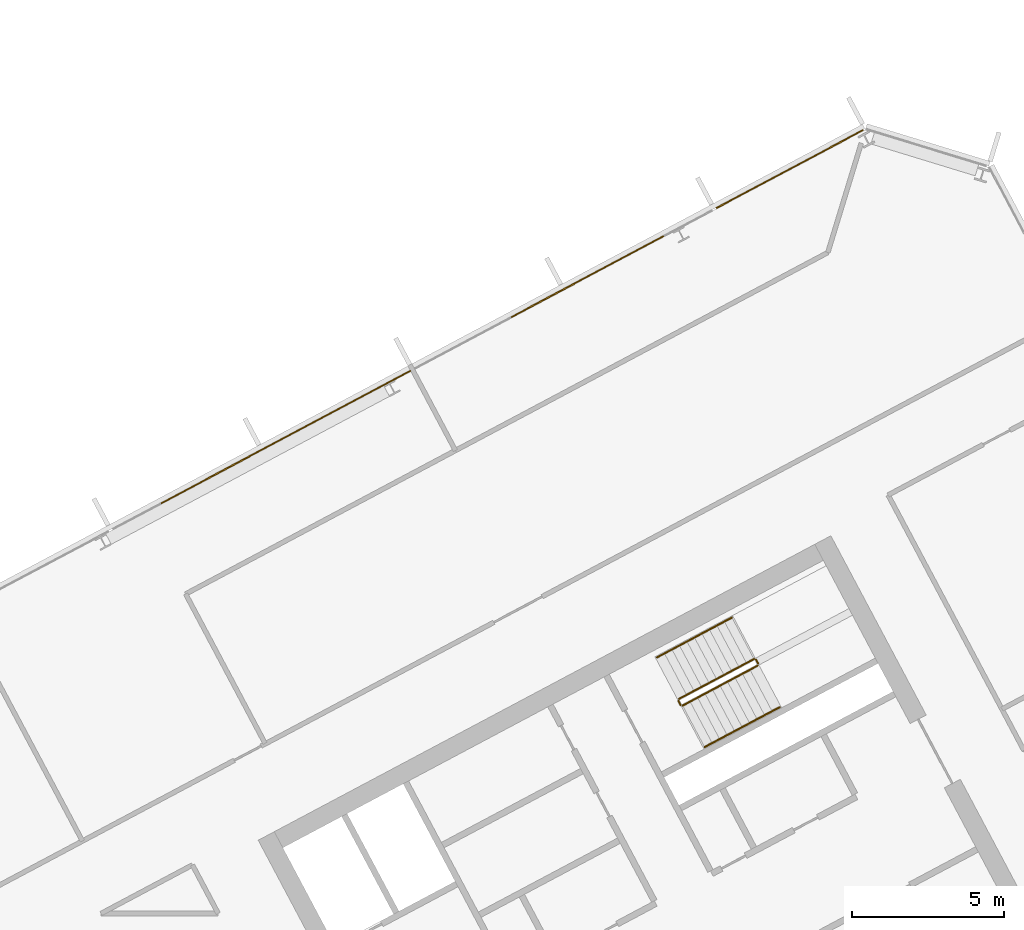
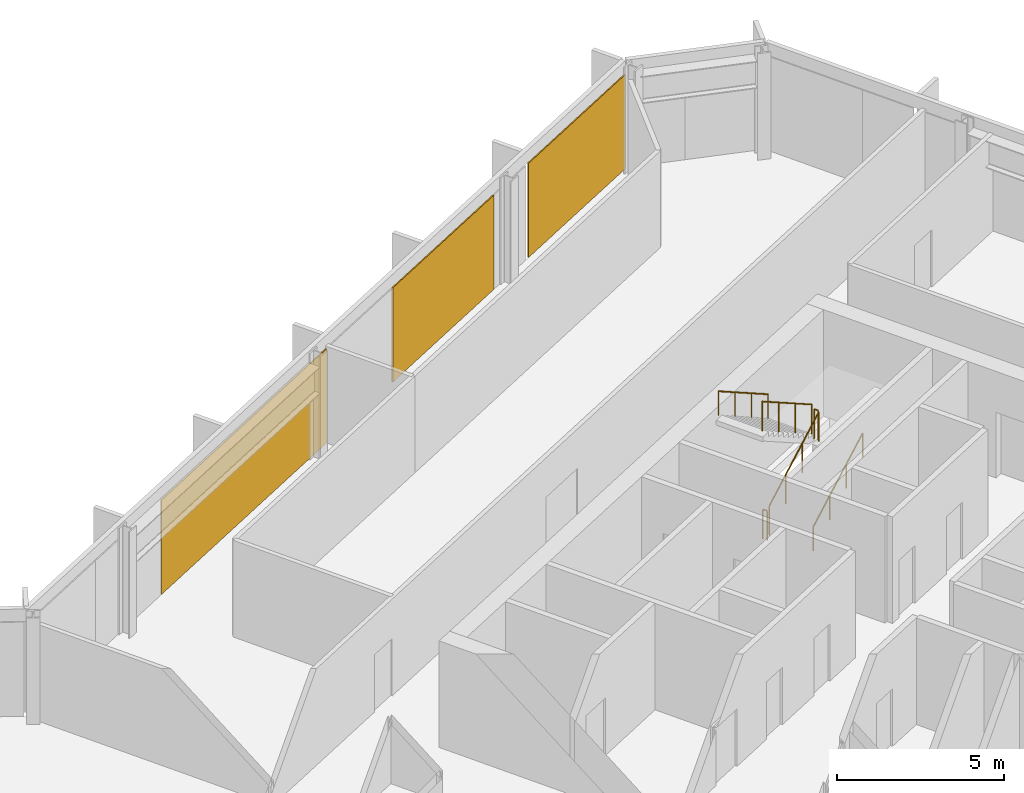
# One storey, part 25 of 26: 6 railings, 3 coverings, 1 element without a shape of its own.
"""IFC4 building model written with IfcOpenShell, lengths in metres."""

from ifc_helpers import new_model, si_unit, direction, frame, origin, origin_2d, place, context, subcontext, project, spatial, polyline, rectangle, outline, extrude, material, layer, layer_set, type_object, element, aggregate, save


model = new_model("IFC4")

# Units and contexts
model_context = context("Model", 3, precision=1e-05, world=origin(), true_north=direction((0.0, 1.0)))
body_context = subcontext(model_context, "Body", "Model", "MODEL_VIEW")
ifc_project = project(units=[si_unit("LENGTHUNIT", "METRE"), si_unit("AREAUNIT", "SQUARE_METRE"), si_unit("VOLUMEUNIT", "CUBIC_METRE"), si_unit("PLANEANGLEUNIT", "RADIAN"), si_unit("MASSUNIT", "GRAM", prefix="KILO")], contexts=[model_context])

# Site, building, storey
site_placement = place(None, origin())
site = spatial("IfcSite", under=ifc_project, at=site_placement, CompositionType="ELEMENT")
building_placement = place(site_placement, origin())
building = spatial("IfcBuilding", under=site, at=building_placement, Name="Cormorant Relay Tower", CompositionType="ELEMENT")
storey_placement = place(building_placement, frame((0.0, 0.0, 193.5)))
storey = spatial("IfcBuildingStorey", under=building, at=storey_placement, Name="L41", CompositionType="ELEMENT", Elevation=193.5)

# Curtain wall, coverings
ifc_material_1 = material(Name="Aluminium 6063-T6 anodised bronze", Category="aluminium")
ifc_layer_1 = layer(ifc_material_1, 0.199951171875)
ifc_layer_set_1 = layer_set([ifc_layer_1], Name="CW1 unitised bronze curtain wall with vertical fins")
curtain_wall_type = type_object("IfcCurtainWallType", Name="CW1 unitised bronze curtain wall with vertical fins", PredefinedType="NOTDEFINED", material=ifc_layer_set_1)
curtain_wall_placement = place(storey_placement, origin())
curtain_wall = element("IfcCurtainWall", 1, at=curtain_wall_placement, inside=storey, type_object=curtain_wall_type, Name="CW1 curtain wall 8", PredefinedType="NOTDEFINED")
ifc_material_2 = material(Name="Pale bronze anodised aluminium insulated panel", Category="aluminium")
ifc_layer_2 = layer(ifc_material_2, 0.0400390625)
ifc_layer_set_2 = layer_set([ifc_layer_2], Name="CW1 pale bronze insulated panel 40")
covering_type = type_object("IfcCoveringType", Name="CW1 pale bronze insulated panel 40", PredefinedType="CLADDING", material=ifc_layer_set_2)
covering_1_placement = place(storey_placement, frame((27.375, 38.362060546875, 0.0), z_axis=(0.0, 0.0, 1.0), x_axis=(-0.882947592859, -0.469471562786, 0.0)))
covering_1 = element("IfcCovering", 2, at=covering_1_placement, type_object=covering_type, Name="CW1 panel S00", PredefinedType="CLADDING", context=body_context, shape_type="SweptSolid", body=[
    extrude(rectangle(XDim=5.489013671875, YDim=0.0400390625, at=origin_2d()), origin(), (0.0, 0.0, 1.0), 3.449951171875),
])
covering_2_placement = place(storey_placement, frame((20.701171875, 34.813720703125, 0.0), z_axis=(0.0, 0.0, 1.0), x_axis=(-0.882947592859, -0.469471562786, 0.0)))
covering_2 = element("IfcCovering", 3, at=covering_2_placement, type_object=covering_type, Name="CW1 panel S02", PredefinedType="CLADDING", context=body_context, shape_type="SweptSolid", body=[
    extrude(rectangle(XDim=5.72802734375, YDim=0.0400390625, at=origin_2d()), origin(), (0.0, 0.0, 1.0), 3.449951171875),
])
covering_3_placement = place(storey_placement, frame((10.7431640625, 29.518798828125, 0.0), z_axis=(0.0, 0.0, 1.0), x_axis=(-0.882947592859, -0.469471562786, 0.0)))
covering_3 = element("IfcCovering", 4, at=covering_3_placement, type_object=covering_type, Name="CW1 panel S04", PredefinedType="CLADDING", context=body_context, shape_type="SweptSolid", body=[
    extrude(rectangle(XDim=9.327880859375, YDim=0.0400390625, at=origin_2d()), origin(), (0.0, 0.0, 1.0), 3.449951171875),
])
aggregate(curtain_wall, [covering_1, covering_2, covering_3])

# Railings
ifc_material_3 = material(Name="Steel ASTM A572 Grade 50 (Fy 345 MPa)", Category="steel")
railing_type_1 = type_object("IfcRailingType", Name="Stair guard 1100", PredefinedType="GUARDRAIL", material=ifc_material_3)
railing_1_placement = place(storey_placement, frame((23.8408203125, 20.6611328125, 0.17724609375)))
element("IfcRailing", 5, at=railing_1_placement, inside=storey, type_object=railing_type_1, Name="L41 B2 stair guard 1", PredefinedType="GUARDRAIL", context=body_context, shape_type="SweptSolid", body=[
    extrude(outline(polyline([(0.022216796875, 0.00927734375), (0.00927734375, 0.022216796875), (-0.00927734375, 0.022216796875), (-0.022216796875, 0.00927734375), (-0.022216796875, -0.00927734375), (-0.00927734375, -0.022216796875), (0.00927734375, -0.022216796875), (0.022216796875, -0.00927734375), (0.022216796875, 0.00927734375)])), frame((0.0, 0.0, 1.076171875), z_axis=(0.746033882577, 0.396627473466, 0.534901947407), x_axis=(-0.469429322983, 0.882970050864, 0.0)), (0.0, 0.0, 1.0), 3.31396484375),
    extrude(outline(polyline([(0.019287109375, 0.008056640625), (0.008056640625, 0.019287109375), (-0.008056640625, 0.019287109375), (-0.019287109375, 0.008056640625), (-0.019287109375, -0.008056640625), (-0.008056640625, -0.019287109375), (0.008056640625, -0.019287109375), (0.019287109375, -0.008056640625), (0.019287109375, 0.008056640625)])), origin(), (0.0, 0.0, 1.0), 1.052001953125),
    extrude(outline(polyline([(0.019287109375, 0.008056640625), (0.008056640625, 0.019287109375), (-0.008056640625, 0.019287109375), (-0.019287109375, 0.008056640625), (-0.019287109375, -0.008056640625), (-0.008056640625, -0.019287109375), (0.008056640625, -0.019287109375), (0.019287109375, -0.008056640625), (0.019287109375, 0.008056640625)])), frame((0.82421875, 0.438232421875, 0.5908203125)), (0.0, 0.0, 1.0), 1.052001953125),
    extrude(outline(polyline([(0.019287109375, 0.008056640625), (0.008056640625, 0.019287109375), (-0.008056640625, 0.019287109375), (-0.019287109375, 0.008056640625), (-0.019287109375, -0.008056640625), (-0.008056640625, -0.019287109375), (0.008056640625, -0.019287109375), (0.019287109375, -0.008056640625), (0.019287109375, 0.008056640625)])), frame((1.648193359375, 0.876220703125, 1.181884765625)), (0.0, 0.0, 1.0), 1.052001953125),
    extrude(outline(polyline([(0.019287109375, 0.008056640625), (0.008056640625, 0.019287109375), (-0.008056640625, 0.019287109375), (-0.019287109375, 0.008056640625), (-0.019287109375, -0.008056640625), (-0.008056640625, -0.019287109375), (0.008056640625, -0.019287109375), (0.019287109375, -0.008056640625), (0.019287109375, 0.008056640625)])), frame((2.472412109375, 1.314453125, 1.772705078125)), (0.0, 0.0, 1.0), 1.052001953125),
])
railing_2_placement = place(storey_placement, frame((26.333740234375, 22.043212890625, 1.949951171875)))
element("IfcRailing", 6, at=railing_2_placement, inside=storey, type_object=railing_type_1, Name="L41 B2 stair guard 2", PredefinedType="GUARDRAIL", context=body_context, shape_type="SweptSolid", body=[
    extrude(outline(polyline([(0.022216796875, 0.00927734375), (0.00927734375, 0.022216796875), (-0.00927734375, 0.022216796875), (-0.022216796875, 0.00927734375), (-0.022216796875, -0.00927734375), (-0.00927734375, -0.022216796875), (0.00927734375, -0.022216796875), (0.022216796875, -0.00927734375), (0.022216796875, 0.00927734375)])), frame((0.0, 0.0, 1.076171875), z_axis=(-0.469234640946, 0.883073525669, 0.0), x_axis=(-0.883073525669, -0.469234640946, 0.0)), (0.0, 0.0, 1.0), 0.14990234375),
    extrude(outline(polyline([(0.019287109375, 0.008056640625), (0.008056640625, 0.019287109375), (-0.008056640625, 0.019287109375), (-0.019287109375, 0.008056640625), (-0.019287109375, -0.008056640625), (-0.008056640625, -0.019287109375), (0.008056640625, -0.019287109375), (0.019287109375, -0.008056640625), (0.019287109375, 0.008056640625)])), origin(), (0.0, 0.0, 1.0), 1.052001953125),
    extrude(outline(polyline([(0.019287109375, 0.008056640625), (0.008056640625, 0.019287109375), (-0.008056640625, 0.019287109375), (-0.019287109375, 0.008056640625), (-0.019287109375, -0.008056640625), (-0.008056640625, -0.019287109375), (0.008056640625, -0.019287109375), (0.019287109375, -0.008056640625), (0.019287109375, 0.008056640625)])), frame((-0.0703125, 0.13232421875, 0.0)), (0.0, 0.0, 1.0), 1.052001953125),
])
railing_3_placement = place(storey_placement, frame((26.19580078125, 22.1962890625, 2.127197265625)))
element("IfcRailing", 7, at=railing_3_placement, inside=storey, type_object=railing_type_1, Name="L41 B2 stair guard 3", PredefinedType="GUARDRAIL", context=body_context, shape_type="SweptSolid", body=[
    extrude(outline(polyline([(0.022216796875, 0.00927734375), (0.00927734375, 0.022216796875), (-0.00927734375, 0.022216796875), (-0.022216796875, 0.00927734375), (-0.022216796875, -0.00927734375), (-0.00927734375, -0.022216796875), (0.00927734375, -0.022216796875), (0.022216796875, -0.00927734375), (0.022216796875, 0.00927734375)])), frame((0.0, 0.0, 1.076171875), z_axis=(-0.746033882577, -0.396627473466, 0.534901947407), x_axis=(0.469429322983, -0.882970050864, 0.0)), (0.0, 0.0, 1.0), 3.31396484375),
    extrude(outline(polyline([(0.019287109375, 0.008056640625), (0.008056640625, 0.019287109375), (-0.008056640625, 0.019287109375), (-0.019287109375, 0.008056640625), (-0.019287109375, -0.008056640625), (-0.008056640625, -0.019287109375), (0.008056640625, -0.019287109375), (0.019287109375, -0.008056640625), (0.019287109375, 0.008056640625)])), origin(), (0.0, 0.0, 1.0), 1.052001953125),
    extrude(outline(polyline([(0.019287109375, 0.008056640625), (0.008056640625, 0.019287109375), (-0.008056640625, 0.019287109375), (-0.019287109375, 0.008056640625), (-0.019287109375, -0.008056640625), (-0.008056640625, -0.019287109375), (0.008056640625, -0.019287109375), (0.019287109375, -0.008056640625), (0.019287109375, 0.008056640625)])), frame((-0.82421875, -0.438232421875, 0.5908203125)), (0.0, 0.0, 1.0), 1.052001953125),
    extrude(outline(polyline([(0.019287109375, 0.008056640625), (0.008056640625, 0.019287109375), (-0.008056640625, 0.019287109375), (-0.019287109375, 0.008056640625), (-0.019287109375, -0.008056640625), (-0.008056640625, -0.019287109375), (0.008056640625, -0.019287109375), (0.019287109375, -0.008056640625), (0.019287109375, 0.008056640625)])), frame((-1.648193359375, -0.876220703125, 1.181884765625)), (0.0, 0.0, 1.0), 1.052001953125),
    extrude(outline(polyline([(0.019287109375, 0.008056640625), (0.008056640625, 0.019287109375), (-0.008056640625, 0.019287109375), (-0.019287109375, 0.008056640625), (-0.019287109375, -0.008056640625), (-0.008056640625, -0.019287109375), (0.008056640625, -0.019287109375), (0.019287109375, -0.008056640625), (0.019287109375, 0.008056640625)])), frame((-2.472412109375, -1.314453125, 1.772705078125)), (0.0, 0.0, 1.0), 1.052001953125),
])
railing_4_placement = place(storey_placement, frame((23.773193359375, 20.681640625, 0.0)))
element("IfcRailing", 8, at=railing_4_placement, inside=storey, type_object=railing_type_1, Name="L41 B2 stair guard 4", PredefinedType="GUARDRAIL", context=body_context, shape_type="SweptSolid", body=[
    extrude(outline(polyline([(0.022216796875, 0.00927734375), (0.00927734375, 0.022216796875), (-0.00927734375, 0.022216796875), (-0.022216796875, 0.00927734375), (-0.022216796875, -0.00927734375), (-0.00927734375, -0.022216796875), (0.00927734375, -0.022216796875), (0.022216796875, -0.00927734375), (0.022216796875, 0.00927734375)])), frame((0.0, 0.0, 1.076171875), z_axis=(-0.46856034887, 0.8834314911, 0.0), x_axis=(-0.8834314911, -0.46856034887, 0.0)), (0.0, 0.0, 1.0), 0.150146484375),
    extrude(outline(polyline([(0.019287109375, 0.008056640625), (0.008056640625, 0.019287109375), (-0.008056640625, 0.019287109375), (-0.019287109375, 0.008056640625), (-0.019287109375, -0.008056640625), (-0.008056640625, -0.019287109375), (0.008056640625, -0.019287109375), (0.019287109375, -0.008056640625), (0.019287109375, 0.008056640625)])), origin(), (0.0, 0.0, 1.0), 1.052001953125),
    extrude(outline(polyline([(0.019287109375, 0.008056640625), (0.008056640625, 0.019287109375), (-0.008056640625, 0.019287109375), (-0.019287109375, 0.008056640625), (-0.019287109375, -0.008056640625), (-0.008056640625, -0.019287109375), (0.008056640625, -0.019287109375), (0.019287109375, -0.008056640625), (0.019287109375, 0.008056640625)])), frame((-0.0703125, 0.132568359375, 0.0)), (0.0, 0.0, 1.0), 1.052001953125),
])
ifc_material_4 = material(Name="Steel ASTM A572 Grade 50 (Fy 345 MPa)", Category="steel")
railing_type_2 = type_object("IfcRailingType", Name="Stair handrail 900", PredefinedType="HANDRAIL", material=ifc_material_4)
railing_5_placement = place(storey_placement, frame((24.568603515625, 19.29248046875, 0.17724609375)))
element("IfcRailing", 9, at=railing_5_placement, inside=storey, type_object=railing_type_2, Name="L41 B2 stair handrail 1", PredefinedType="HANDRAIL", context=body_context, shape_type="SweptSolid", body=[
    extrude(outline(polyline([(0.022216796875, 0.00927734375), (0.00927734375, 0.022216796875), (-0.00927734375, 0.022216796875), (-0.022216796875, 0.00927734375), (-0.022216796875, -0.00927734375), (-0.00927734375, -0.022216796875), (0.00927734375, -0.022216796875), (0.022216796875, -0.00927734375), (0.022216796875, 0.00927734375)])), frame((0.0, 0.0, 0.8759765625), z_axis=(0.746001213114, 0.396649272309, 0.534931345884), x_axis=(-0.469465464807, 0.882950835185, 0.0)), (0.0, 0.0, 1.0), 3.31396484375),
    extrude(outline(polyline([(0.019287109375, 0.008056640625), (0.008056640625, 0.019287109375), (-0.008056640625, 0.019287109375), (-0.019287109375, 0.008056640625), (-0.019287109375, -0.008056640625), (-0.008056640625, -0.019287109375), (0.008056640625, -0.019287109375), (0.019287109375, -0.008056640625), (0.019287109375, 0.008056640625)])), origin(), (0.0, 0.0, 1.0), 0.851806640625),
    extrude(outline(polyline([(0.019287109375, 0.008056640625), (0.008056640625, 0.019287109375), (-0.008056640625, 0.019287109375), (-0.019287109375, 0.008056640625), (-0.019287109375, -0.008056640625), (-0.008056640625, -0.019287109375), (0.008056640625, -0.019287109375), (0.019287109375, -0.008056640625), (0.019287109375, 0.008056640625)])), frame((0.823974609375, 0.438232421875, 0.5908203125)), (0.0, 0.0, 1.0), 0.851806640625),
    extrude(outline(polyline([(0.019287109375, 0.008056640625), (0.008056640625, 0.019287109375), (-0.008056640625, 0.019287109375), (-0.019287109375, 0.008056640625), (-0.019287109375, -0.008056640625), (-0.008056640625, -0.019287109375), (0.008056640625, -0.019287109375), (0.019287109375, -0.008056640625), (0.019287109375, 0.008056640625)])), frame((1.648193359375, 0.876220703125, 1.181884765625)), (0.0, 0.0, 1.0), 0.851806640625),
    extrude(outline(polyline([(0.019287109375, 0.008056640625), (0.008056640625, 0.019287109375), (-0.008056640625, 0.019287109375), (-0.019287109375, 0.008056640625), (-0.019287109375, -0.008056640625), (-0.008056640625, -0.019287109375), (0.008056640625, -0.019287109375), (0.019287109375, -0.008056640625), (0.019287109375, 0.008056640625)])), frame((2.47216796875, 1.314453125, 1.772705078125)), (0.0, 0.0, 1.0), 0.851806640625),
])
railing_6_placement = place(storey_placement, frame((25.468017578125, 23.56494140625, 2.127197265625)))
element("IfcRailing", 10, at=railing_6_placement, inside=storey, type_object=railing_type_2, Name="L41 B2 stair handrail 2", PredefinedType="HANDRAIL", context=body_context, shape_type="SweptSolid", body=[
    extrude(outline(polyline([(0.022216796875, 0.00927734375), (0.00927734375, 0.022216796875), (-0.00927734375, 0.022216796875), (-0.022216796875, 0.00927734375), (-0.022216796875, -0.00927734375), (-0.00927734375, -0.022216796875), (0.00927734375, -0.022216796875), (0.022216796875, -0.00927734375), (0.022216796875, 0.00927734375)])), frame((0.0, 0.0, 0.8759765625), z_axis=(-0.745979412481, -0.396711350603, 0.534915713414), x_axis=(0.469533439143, -0.882914689835, 0.0)), (0.0, 0.0, 1.0), 3.31396484375),
    extrude(outline(polyline([(0.019287109375, 0.008056640625), (0.008056640625, 0.019287109375), (-0.008056640625, 0.019287109375), (-0.019287109375, 0.008056640625), (-0.019287109375, -0.008056640625), (-0.008056640625, -0.019287109375), (0.008056640625, -0.019287109375), (0.019287109375, -0.008056640625), (0.019287109375, 0.008056640625)])), origin(), (0.0, 0.0, 1.0), 0.851806640625),
    extrude(outline(polyline([(0.019287109375, 0.008056640625), (0.008056640625, 0.019287109375), (-0.008056640625, 0.019287109375), (-0.019287109375, 0.008056640625), (-0.019287109375, -0.008056640625), (-0.008056640625, -0.019287109375), (0.008056640625, -0.019287109375), (0.019287109375, -0.008056640625), (0.019287109375, 0.008056640625)])), frame((-0.823974609375, -0.438232421875, 0.5908203125)), (0.0, 0.0, 1.0), 0.851806640625),
    extrude(outline(polyline([(0.019287109375, 0.008056640625), (0.008056640625, 0.019287109375), (-0.008056640625, 0.019287109375), (-0.019287109375, 0.008056640625), (-0.019287109375, -0.008056640625), (-0.008056640625, -0.019287109375), (0.008056640625, -0.019287109375), (0.019287109375, -0.008056640625), (0.019287109375, 0.008056640625)])), frame((-1.648193359375, -0.87646484375, 1.181884765625)), (0.0, 0.0, 1.0), 0.851806640625),
    extrude(outline(polyline([(0.019287109375, 0.008056640625), (0.008056640625, 0.019287109375), (-0.008056640625, 0.019287109375), (-0.019287109375, 0.008056640625), (-0.019287109375, -0.008056640625), (-0.008056640625, -0.019287109375), (0.008056640625, -0.019287109375), (0.019287109375, -0.008056640625), (0.019287109375, 0.008056640625)])), frame((-2.47216796875, -1.314697265625, 1.772705078125)), (0.0, 0.0, 1.0), 0.851806640625),
])

save(model, "model.ifc")
